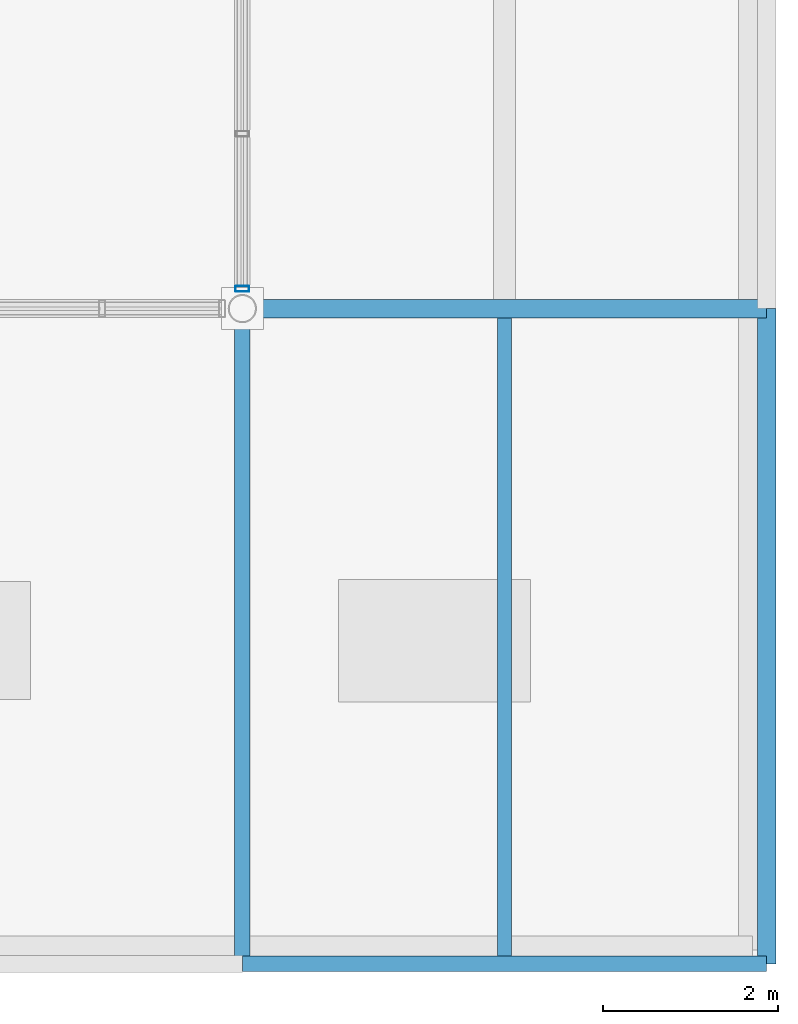
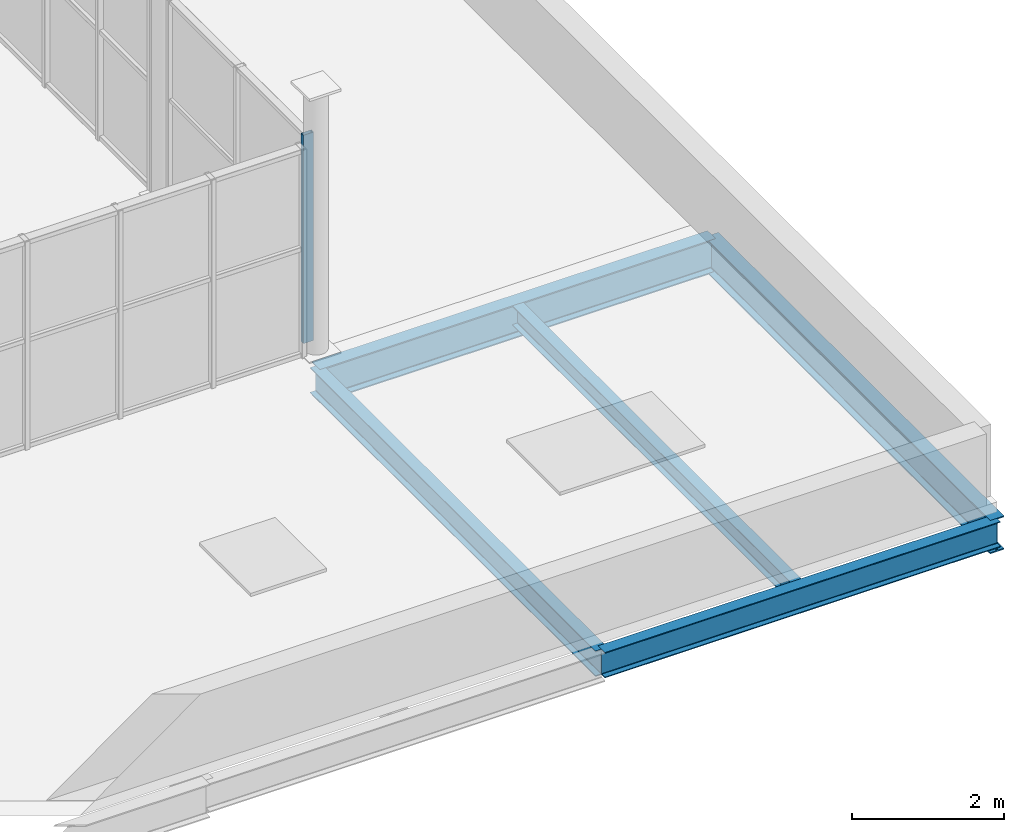
# One storey, part 8 of 27: 5 beams, 1 member, 1 element without a shape of its own.
"""IFC4 building model written with IfcOpenShell, lengths in metres."""

from ifc_helpers import new_model, si_unit, direction, frame, origin, origin_2d, place, context, subcontext, project, spatial, hollow_rectangle, i_section, extrude, material, material_profile, profile_set, type_object, element, aggregate, save


model = new_model("IFC4")

# Units and contexts
model_context = context("Model", 3, precision=1e-05, world=origin(), true_north=direction((0.0, 1.0)))
body_context = subcontext(model_context, "Body", "Model", "MODEL_VIEW")
ifc_project = project(units=[si_unit("LENGTHUNIT", "METRE"), si_unit("AREAUNIT", "SQUARE_METRE"), si_unit("VOLUMEUNIT", "CUBIC_METRE"), si_unit("PLANEANGLEUNIT", "RADIAN"), si_unit("MASSUNIT", "GRAM", prefix="KILO")], contexts=[model_context])

# Site, building, storey
site_placement = place(None, origin())
site = spatial("IfcSite", under=ifc_project, at=site_placement, CompositionType="ELEMENT")
building_placement = place(site_placement, origin())
building = spatial("IfcBuilding", under=site, at=building_placement, Name="Verrall Gate Interchange", CompositionType="ELEMENT")
storey_placement = place(building_placement, frame((0.0, 0.0, 28.60009765625)))
storey = spatial("IfcBuildingStorey", under=building, at=storey_placement, Name="L07", CompositionType="ELEMENT", Elevation=28.60009765625)

# Beams
ifc_material_1 = material(Name="Structural Steel CSA G40.21 350W", Category="steel")
ifc_material_profile_1 = material_profile(ifc_material_1, i_section(OverallWidth=0.2109375, OverallDepth=0.5390625, WebThickness=0.01171875, FlangeThickness=0.018798828125, FilletRadius=0.013916015625, at=origin_2d()), Name="W530x109")
ifc_profile_set_1 = profile_set([ifc_material_profile_1], Name="Structural Steel CSA G40.21 350W")
beam_type_1 = type_object("IfcBeamType", Name="B-10 Structural Beam W530x109", PredefinedType="BEAM", material=ifc_profile_set_1)
beam_1_placement = place(storey_placement, frame((30.0, 12.0, -0.529541015625), z_axis=(1.0, 0.0, 0.0), x_axis=(0.0, 1.0, 0.0)))
element("IfcBeam", 1, at=beam_1_placement, inside=storey, type_object=beam_type_1, Name="L07 Girder BM-L07-3231 (B-10)", PredefinedType="BEAM", context=body_context, shape_type="SweptSolid", body=[
    extrude(i_section(OverallWidth=0.2109375, OverallDepth=0.5390625, WebThickness=0.01171875, FlangeThickness=0.018798828125, FilletRadius=0.013916015625, at=origin_2d()), origin(), (0.0, 0.0, 1.0), 6.0),
])
beam_2_placement = place(storey_placement, frame((36.0, 4.5, -0.529541015625), z_axis=(0.0, 1.0, 0.0), x_axis=(-1.0, 0.0, 0.0)))
element("IfcBeam", 2, at=beam_2_placement, inside=storey, type_object=beam_type_1, Name="L07 Girder BM-L07-3309 (B-10)", PredefinedType="BEAM", context=body_context, shape_type="SweptSolid", body=[
    extrude(i_section(OverallWidth=0.2109375, OverallDepth=0.5390625, WebThickness=0.01171875, FlangeThickness=0.018798828125, FilletRadius=0.013916015625, at=origin_2d()), origin(), (0.0, 0.0, 1.0), 7.5),
])
ifc_material_2 = material(Name="Structural Steel CSA G40.21 350W", Category="steel")
ifc_material_profile_2 = material_profile(ifc_material_2, i_section(OverallWidth=0.178955078125, OverallDepth=0.409912109375, WebThickness=0.0087890625, FlangeThickness=0.014404296875, FilletRadius=0.011962890625, at=origin_2d()), Name="W410x67")
ifc_profile_set_2 = profile_set([ifc_material_profile_2], Name="Structural Steel CSA G40.21 350W")
beam_type_2 = type_object("IfcBeamType", Name="B-12 Structural Beam W410x67", PredefinedType="BEAM", material=ifc_profile_set_2)
beam_3_placement = place(storey_placement, frame((30.0, 4.5, -0.465087890625), z_axis=(1.0, 0.0, 0.0), x_axis=(0.0, 1.0, 0.0)))
element("IfcBeam", 3, at=beam_3_placement, inside=storey, type_object=beam_type_2, Name="L07 Girder BM-L07-3226 (B-12)", PredefinedType="BEAM", context=body_context, shape_type="SweptSolid", body=[
    extrude(i_section(OverallWidth=0.178955078125, OverallDepth=0.409912109375, WebThickness=0.0087890625, FlangeThickness=0.014404296875, FilletRadius=0.011962890625, at=origin_2d()), origin(), (0.0, 0.0, 1.0), 6.0),
])
beam_4_placement = place(storey_placement, frame((30.0, 4.5, -0.465087890625), z_axis=(0.0, 1.0, 0.0), x_axis=(-1.0, 0.0, 0.0)))
element("IfcBeam", 4, at=beam_4_placement, inside=storey, type_object=beam_type_2, Name="L07 Girder BM-L07-3300 (B-12)", PredefinedType="BEAM", context=body_context, shape_type="SweptSolid", body=[
    extrude(i_section(OverallWidth=0.178955078125, OverallDepth=0.409912109375, WebThickness=0.0087890625, FlangeThickness=0.014404296875, FilletRadius=0.011962890625, at=origin_2d()), origin(), (0.0, 0.0, 1.0), 7.5),
])

# Curtain wall, member
ifc_material_3 = material(Name="Thermally Broken Anodized Aluminium Curtain Wall Framing", Category="aluminium")
curtain_wall_type = type_object("IfcCurtainWallType", Name="CW-51 Unitized Curtain Wall 3612x3340", PredefinedType="NOTDEFINED", material=ifc_material_3)
curtain_wall_placement = place(storey_placement, origin())
curtain_wall = element("IfcCurtainWall", 5, at=curtain_wall_placement, inside=storey, type_object=curtain_wall_type, Name="L07 Unitized Curtain Wall CW-L07-156", PredefinedType="NOTDEFINED")
ifc_material_4 = material(Name="Thermally Broken Anodized Aluminium Curtain Wall Framing", Category="aluminium")
ifc_material_profile_3 = material_profile(ifc_material_4, hollow_rectangle(XDim=0.06494140625, YDim=0.159912109375, WallThickness=0.00390625, InnerFilletRadius=0.00390625, OuterFilletRadius=0.008056640625, at=origin_2d()), Name="CWM160x65x4")
ifc_profile_set_3 = profile_set([ifc_material_profile_3], Name="Thermally Broken Anodized Aluminium Curtain Wall Framing")
member_type = type_object("IfcMemberType", Name="CM-01 Curtain Mullion CWM160x65x4", PredefinedType="MULLION", material=ifc_profile_set_3)
member_placement = place(storey_placement, frame((30.0, 12.226318359375, 0.0), z_axis=(0.0, 0.0, 1.0), x_axis=(0.0, 1.0, 0.0)))
member = element("IfcMember", 6, at=member_placement, type_object=member_type, Name="CW-L07-156 Mullion 1", PredefinedType="MULLION", context=body_context, shape_type="SweptSolid", body=[
    extrude(hollow_rectangle(XDim=0.06494140625, YDim=0.159912109375, WallThickness=0.00390625, InnerFilletRadius=0.00390625, OuterFilletRadius=0.008056640625, at=origin_2d()), origin(), (0.0, 0.0, 1.0), 3.33984375),
])
aggregate(curtain_wall, [member])

# Beam
ifc_material_5 = material(Name="Structural Steel CSA G40.21 350W", Category="steel")
ifc_material_profile_4 = material_profile(ifc_material_5, i_section(OverallWidth=0.1650390625, OverallDepth=0.31005859375, WebThickness=0.005859375, FlangeThickness=0.009765625, FilletRadius=0.010009765625, at=origin_2d()), Name="W310x39")
ifc_profile_set_4 = profile_set([ifc_material_profile_4], Name="Structural Steel CSA G40.21 350W")
beam_type_3 = type_object("IfcBeamType", Name="J-04 Floor Joist W310x39", PredefinedType="JOIST", material=ifc_profile_set_4)
beam_5_placement = place(storey_placement, frame((33.0, 4.589599609375, -0.4150390625), z_axis=(0.0, 1.0, 0.0), x_axis=(-1.0, 0.0, 0.0)))
element("IfcBeam", 7, at=beam_5_placement, inside=storey, type_object=beam_type_3, Name="L07 Secondary Floor Joist JST-L07-3322", PredefinedType="JOIST", context=body_context, shape_type="SweptSolid", body=[
    extrude(i_section(OverallWidth=0.1650390625, OverallDepth=0.31005859375, WebThickness=0.005859375, FlangeThickness=0.009765625, FilletRadius=0.010009765625, at=origin_2d()), origin(), (0.0, 0.0, 1.0), 7.304931640625),
])

save(model, "model.ifc")
